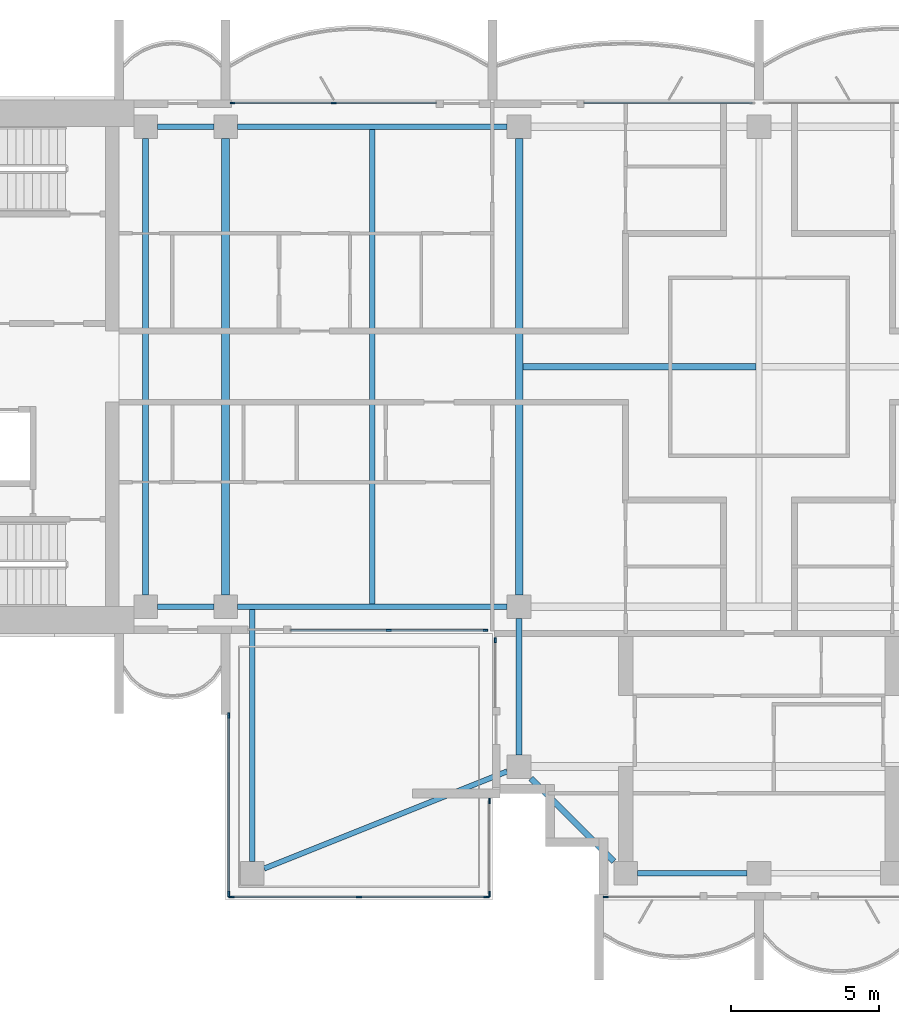
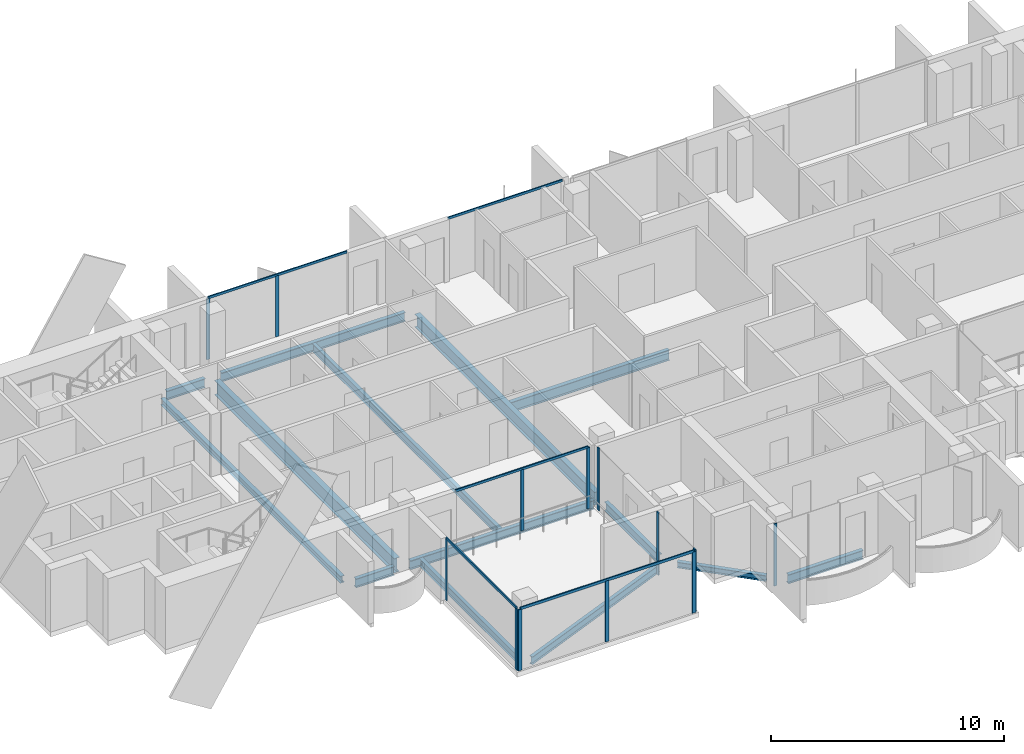
# One storey, part 2 of 16: 18 members, 14 beams, 8 elements without a shape of their own.
"""IFC4 building model written with IfcOpenShell, lengths in metres."""

from ifc_helpers import new_model, si_unit, direction, frame, origin, origin_2d, place, context, subcontext, project, spatial, rectangle, i_section, extrude, material, material_profile, profile_set, type_object, element, aggregate, save


model = new_model("IFC4")

# Units and contexts
model_context = context("Model", 3, precision=1e-05, world=origin(), true_north=direction((0.0, 1.0)))
body_context = subcontext(model_context, "Body", "Model", "MODEL_VIEW")
ifc_project = project(units=[si_unit("LENGTHUNIT", "METRE"), si_unit("AREAUNIT", "SQUARE_METRE"), si_unit("VOLUMEUNIT", "CUBIC_METRE"), si_unit("PLANEANGLEUNIT", "RADIAN"), si_unit("MASSUNIT", "GRAM", prefix="KILO")], contexts=[model_context])

# Site, building, storey
site_placement = place(None, origin())
site = spatial("IfcSite", under=ifc_project, at=site_placement, CompositionType="ELEMENT")
building_placement = place(site_placement, origin())
building = spatial("IfcBuilding", under=site, at=building_placement, Name="Perihelion Cross Residences", CompositionType="ELEMENT")
storey_placement = place(building_placement, frame((0.0, 0.0, 239.5)))
storey = spatial("IfcBuildingStorey", under=building, at=storey_placement, Name="L60", CompositionType="ELEMENT", Elevation=239.5)

# Curtain wall, members
ifc_material_1 = material(Name="Bronze anodised aluminium, tinted glazing", Category="aluminium")
curtain_wall_type_1 = type_object("IfcCurtainWallType", Name="CW1", PredefinedType="NOTDEFINED", material=ifc_material_1)
curtain_wall_1_placement = place(storey_placement, origin())
curtain_wall_1 = element("IfcCurtainWall", 1, at=curtain_wall_1_placement, inside=storey, type_object=curtain_wall_type_1, Name="Curtain wall CW1 L60 west side north bay 1", PredefinedType="NOTDEFINED")
ifc_material_2 = material(Name="Bronze anodised aluminium", Category="aluminium")
ifc_material_profile_1 = material_profile(ifc_material_2, rectangle(XDim=0.06005859375, YDim=0.159912109375, at=origin_2d()), Name="CW1 mullion")
ifc_profile_set_1 = profile_set([ifc_material_profile_1], Name="Bronze anodised aluminium")
member_type_1 = type_object("IfcMemberType", Name="CW1 mullion", PredefinedType="MULLION", material=ifc_profile_set_1)
member_1_placement = place(storey_placement, frame((-14.35009765625, 8.89990234375, 0.0), z_axis=(0.0, 0.0, 1.0), x_axis=(0.0, -1.0, 0.0)))
member_1 = element("IfcMember", 2, at=member_1_placement, type_object=member_type_1, Name="CW1 mullion 2", PredefinedType="MULLION", context=body_context, shape_type="SweptSolid", body=[
    extrude(rectangle(XDim=0.06005859375, YDim=0.159912109375, at=origin_2d()), origin(), (0.0, 0.0, 1.0), 3.18994140625),
])
member_2_placement = place(storey_placement, frame((-17.77001953125, 8.89990234375, 0.0), z_axis=(0.0, 0.0, 1.0), x_axis=(0.0, -1.0, 0.0)))
member_2 = element("IfcMember", 3, at=member_2_placement, type_object=member_type_1, Name="CW1 mullion 3", PredefinedType="MULLION", context=body_context, shape_type="SweptSolid", body=[
    extrude(rectangle(XDim=0.06005859375, YDim=0.159912109375, at=origin_2d()), origin(), (0.0, 0.0, 1.0), 3.18994140625),
])

curtain_wall_2_placement = place(storey_placement, origin())
curtain_wall_2 = element("IfcCurtainWall", 4, at=curtain_wall_2_placement, inside=storey, type_object=curtain_wall_type_1, Name="Curtain wall CW1 L60 west side south bay 2", PredefinedType="NOTDEFINED")
member_3_placement = place(storey_placement, frame((-12.5, -8.89990234375, 0.0), z_axis=(0.0, 0.0, 1.0), x_axis=(0.0, 1.0, 0.0)))
member_3 = element("IfcMember", 5, at=member_3_placement, type_object=member_type_1, Name="CW1 mullion 2", PredefinedType="MULLION", context=body_context, shape_type="SweptSolid", body=[
    extrude(rectangle(XDim=0.06005859375, YDim=0.159912109375, at=origin_2d()), origin(), (0.0, 0.0, 1.0), 3.18994140625),
])
member_4_placement = place(storey_placement, frame((-9.22998046875, -8.89990234375, 0.0), z_axis=(0.0, 0.0, 1.0), x_axis=(0.0, 1.0, 0.0)))
member_4 = element("IfcMember", 6, at=member_4_placement, type_object=member_type_1, Name="CW1 mullion 3", PredefinedType="MULLION", context=body_context, shape_type="SweptSolid", body=[
    extrude(rectangle(XDim=0.06005859375, YDim=0.159912109375, at=origin_2d()), origin(), (0.0, 0.0, 1.0), 3.18994140625),
])

# Curtain wall, member
curtain_wall_3_placement = place(storey_placement, origin())
curtain_wall_3 = element("IfcCurtainWall", 7, at=curtain_wall_3_placement, inside=storey, type_object=curtain_wall_type_1, Name="Curtain wall CW1 L60 south side west bay 1", PredefinedType="NOTDEFINED")
member_5_placement = place(storey_placement, frame((-8.89990234375, -9.22998046875, 0.0), z_axis=(0.0, 0.0, 1.0), x_axis=(1.0, 0.0, 0.0)))
member_5 = element("IfcMember", 8, at=member_5_placement, type_object=member_type_1, Name="CW1 mullion 1", PredefinedType="MULLION", context=body_context, shape_type="SweptSolid", body=[
    extrude(rectangle(XDim=0.06005859375, YDim=0.159912109375, at=origin_2d()), origin(), (0.0, 0.0, 1.0), 3.25),
])
aggregate(curtain_wall_3, [member_5])

curtain_wall_4_placement = place(storey_placement, origin())
curtain_wall_4 = element("IfcCurtainWall", 9, at=curtain_wall_4_placement, inside=storey, type_object=curtain_wall_type_1, Name="Curtain wall CW1 L60 south tip south bay 1", PredefinedType="NOTDEFINED")
member_6_placement = place(storey_placement, frame((-5.169921875, -17.89990234375, 0.0), z_axis=(0.0, 0.0, 1.0), x_axis=(0.0, 1.0, 0.0)))
member_6 = element("IfcMember", 10, at=member_6_placement, type_object=member_type_1, Name="CW1 mullion 1", PredefinedType="MULLION", context=body_context, shape_type="SweptSolid", body=[
    extrude(rectangle(XDim=0.06005859375, YDim=0.159912109375, at=origin_2d()), origin(), (0.0, 0.0, 1.0), 3.25),
])
aggregate(curtain_wall_4, [member_6])

curtain_wall_5_placement = place(storey_placement, origin())
curtain_wall_5 = element("IfcCurtainWall", 11, at=curtain_wall_5_placement, inside=storey, type_object=curtain_wall_type_1, Name="Curtain wall CW1 L60 north side east bay 2", PredefinedType="NOTDEFINED")
ifc_material_3 = material(Name="Bronze anodised aluminium", Category="aluminium")
ifc_material_profile_2 = material_profile(ifc_material_3, rectangle(XDim=0.06005859375, YDim=0.1201171875, at=origin_2d()), Name="CW1 transom")
ifc_profile_set_2 = profile_set([ifc_material_profile_2], Name="Bronze anodised aluminium")
member_type_2 = type_object("IfcMemberType", Name="CW1 transom", PredefinedType="USERDEFINED", material=ifc_profile_set_2)
member_7_placement = place(storey_placement, frame((-0.22998046875, 8.89990234375, 3.219970703125), z_axis=(-1.0, 0.0, 0.0), x_axis=(0.0, -1.0, 0.0)))
member_7 = element("IfcMember", 12, at=member_7_placement, type_object=member_type_2, Name="CW1 head transom", ObjectType="TRANSOM", PredefinedType="USERDEFINED", context=body_context, shape_type="SweptSolid", body=[
    extrude(rectangle(XDim=0.06005859375, YDim=0.1201171875, at=origin_2d()), origin(), (0.0, 0.0, 1.0), 5.669921875),
])
aggregate(curtain_wall_5, [member_7])

# Member
member_8_placement = place(storey_placement, frame((-10.89990234375, 8.89990234375, 3.219970703125), z_axis=(-1.0, 0.0, 0.0), x_axis=(0.0, -1.0, 0.0)))
member_8 = element("IfcMember", 13, at=member_8_placement, type_object=member_type_2, Name="CW1 head transom", ObjectType="TRANSOM", PredefinedType="USERDEFINED", context=body_context, shape_type="SweptSolid", body=[
    extrude(rectangle(XDim=0.06005859375, YDim=0.1201171875, at=origin_2d()), origin(), (0.0, 0.0, 1.0), 6.8701171875),
])

aggregate(curtain_wall_1, [member_1, member_2, member_8])

member_9_placement = place(storey_placement, frame((-15.800048828125, -8.89990234375, 3.219970703125), z_axis=(1.0, 0.0, 0.0), x_axis=(0.0, 1.0, 0.0)))
member_9 = element("IfcMember", 14, at=member_9_placement, type_object=member_type_2, Name="CW1 head transom", ObjectType="TRANSOM", PredefinedType="USERDEFINED", context=body_context, shape_type="SweptSolid", body=[
    extrude(rectangle(XDim=0.06005859375, YDim=0.1201171875, at=origin_2d()), origin(), (0.0, 0.0, 1.0), 6.570068359375),
])

aggregate(curtain_wall_2, [member_3, member_4, member_9])

# Curtain wall, members
ifc_material_4 = material(Name="Bronze anodised aluminium, tinted glazing", Category="aluminium")
curtain_wall_type_2 = type_object("IfcCurtainWallType", Name="CW4", PredefinedType="NOTDEFINED", material=ifc_material_4)
curtain_wall_6_placement = place(storey_placement, origin())
curtain_wall_6 = element("IfcCurtainWall", 15, at=curtain_wall_6_placement, inside=storey, type_object=curtain_wall_type_2, Name="Curtain wall CW4 L60 pocket south-west 1 1", PredefinedType="NOTDEFINED")
ifc_material_5 = material(Name="Bronze anodised aluminium", Category="aluminium")
ifc_material_profile_3 = material_profile(ifc_material_5, rectangle(XDim=0.06005859375, YDim=0.179931640625, at=origin_2d()), Name="CW4 mullion")
ifc_profile_set_3 = profile_set([ifc_material_profile_3], Name="Bronze anodised aluminium")
member_type_3 = type_object("IfcMemberType", Name="CW4 mullion", PredefinedType="MULLION", material=ifc_profile_set_3)
member_10_placement = place(storey_placement, frame((-9.10009765625, -14.658935546875, 0.0), z_axis=(0.0, 0.0, 1.0), x_axis=(1.0, 0.0, 0.0)))
member_10 = element("IfcMember", 16, at=member_10_placement, type_object=member_type_3, Name="CW4 mullion 1", PredefinedType="MULLION", context=body_context, shape_type="SweptSolid", body=[
    extrude(rectangle(XDim=0.06005859375, YDim=0.179931640625, at=origin_2d()), origin(), (0.0, 0.0, 1.0), 3.25),
])
member_11_placement = place(storey_placement, frame((-9.10009765625, -17.800048828125, 0.0), z_axis=(0.0, 0.0, 1.0), x_axis=(1.0, 0.0, 0.0)))
member_11 = element("IfcMember", 17, at=member_11_placement, type_object=member_type_3, Name="CW4 mullion 2", PredefinedType="MULLION", context=body_context, shape_type="SweptSolid", body=[
    extrude(rectangle(XDim=0.06005859375, YDim=0.179931640625, at=origin_2d()), origin(), (0.0, 0.0, 1.0), 3.25),
])
aggregate(curtain_wall_6, [member_10, member_11])

curtain_wall_7_placement = place(storey_placement, origin())
curtain_wall_7 = element("IfcCurtainWall", 18, at=curtain_wall_7_placement, inside=storey, type_object=curtain_wall_type_2, Name="Curtain wall CW4 L60 pocket south-west 1 2", PredefinedType="NOTDEFINED")
member_12_placement = place(storey_placement, frame((-9.199951171875, -17.89990234375, 0.0), z_axis=(0.0, 0.0, 1.0), x_axis=(0.0, -1.0, 0.0)))
member_12 = element("IfcMember", 19, at=member_12_placement, type_object=member_type_3, Name="CW4 mullion 1", PredefinedType="MULLION", context=body_context, shape_type="SweptSolid", body=[
    extrude(rectangle(XDim=0.06005859375, YDim=0.179931640625, at=origin_2d()), origin(), (0.0, 0.0, 1.0), 3.18994140625),
])
member_13_placement = place(storey_placement, frame((-13.5, -17.89990234375, 0.0), z_axis=(0.0, 0.0, 1.0), x_axis=(0.0, -1.0, 0.0)))
member_13 = element("IfcMember", 20, at=member_13_placement, type_object=member_type_3, Name="CW4 mullion 2", PredefinedType="MULLION", context=body_context, shape_type="SweptSolid", body=[
    extrude(rectangle(XDim=0.06005859375, YDim=0.179931640625, at=origin_2d()), origin(), (0.0, 0.0, 1.0), 3.18994140625),
])
member_14_placement = place(storey_placement, frame((-17.800048828125, -17.89990234375, 0.0), z_axis=(0.0, 0.0, 1.0), x_axis=(0.0, -1.0, 0.0)))
member_14 = element("IfcMember", 21, at=member_14_placement, type_object=member_type_3, Name="CW4 mullion 3", PredefinedType="MULLION", context=body_context, shape_type="SweptSolid", body=[
    extrude(rectangle(XDim=0.06005859375, YDim=0.179931640625, at=origin_2d()), origin(), (0.0, 0.0, 1.0), 3.18994140625),
])

curtain_wall_8_placement = place(storey_placement, origin())
curtain_wall_8 = element("IfcCurtainWall", 22, at=curtain_wall_8_placement, inside=storey, type_object=curtain_wall_type_2, Name="Curtain wall CW4 L60 pocket south-west 1 3", PredefinedType="NOTDEFINED")
member_15_placement = place(storey_placement, frame((-17.89990234375, -17.800048828125, 0.0), z_axis=(0.0, 0.0, 1.0), x_axis=(-1.0, 0.0, 0.0)))
member_15 = element("IfcMember", 23, at=member_15_placement, type_object=member_type_3, Name="CW4 mullion 1", PredefinedType="MULLION", context=body_context, shape_type="SweptSolid", body=[
    extrude(rectangle(XDim=0.06005859375, YDim=0.179931640625, at=origin_2d()), origin(), (0.0, 0.0, 1.0), 3.18994140625),
])
member_16_placement = place(storey_placement, frame((-17.89990234375, -11.77001953125, 0.0), z_axis=(0.0, 0.0, 1.0), x_axis=(-1.0, 0.0, 0.0)))
member_16 = element("IfcMember", 24, at=member_16_placement, type_object=member_type_3, Name="CW4 mullion 2", PredefinedType="MULLION", context=body_context, shape_type="SweptSolid", body=[
    extrude(rectangle(XDim=0.06005859375, YDim=0.179931640625, at=origin_2d()), origin(), (0.0, 0.0, 1.0), 3.18994140625),
])

# Member
ifc_material_6 = material(Name="Bronze anodised aluminium", Category="aluminium")
ifc_material_profile_4 = material_profile(ifc_material_6, rectangle(XDim=0.06005859375, YDim=0.139892578125, at=origin_2d()), Name="CW4 transom")
ifc_profile_set_4 = profile_set([ifc_material_profile_4], Name="Bronze anodised aluminium")
member_type_4 = type_object("IfcMemberType", Name="CW4 transom", PredefinedType="USERDEFINED", material=ifc_profile_set_4)
member_17_placement = place(storey_placement, frame((-9.199951171875, -17.89990234375, 3.219970703125), z_axis=(-1.0, 0.0, 0.0), x_axis=(0.0, -1.0, 0.0)))
member_17 = element("IfcMember", 25, at=member_17_placement, type_object=member_type_4, Name="CW4 head transom", ObjectType="TRANSOM", PredefinedType="USERDEFINED", context=body_context, shape_type="SweptSolid", body=[
    extrude(rectangle(XDim=0.06005859375, YDim=0.139892578125, at=origin_2d()), origin(), (0.0, 0.0, 1.0), 8.60009765625),
])

aggregate(curtain_wall_7, [member_12, member_13, member_14, member_17])

member_18_placement = place(storey_placement, frame((-17.89990234375, -17.800048828125, 3.219970703125), z_axis=(0.0, 1.0, 0.0), x_axis=(-1.0, 0.0, 0.0)))
member_18 = element("IfcMember", 26, at=member_18_placement, type_object=member_type_4, Name="CW4 head transom", ObjectType="TRANSOM", PredefinedType="USERDEFINED", context=body_context, shape_type="SweptSolid", body=[
    extrude(rectangle(XDim=0.06005859375, YDim=0.139892578125, at=origin_2d()), origin(), (0.0, 0.0, 1.0), 6.030029296875),
])

aggregate(curtain_wall_8, [member_15, member_16, member_18])

# Beams
ifc_material_7 = material(Name="Steel S355", Category="steel")
ifc_material_profile_5 = material_profile(ifc_material_7, i_section(OverallWidth=0.205078125, OverallDepth=0.35302734375, WebThickness=0.009521484375, FlangeThickness=0.016845703125, at=origin_2d()), Name="W360x79")
ifc_profile_set_5 = profile_set([ifc_material_profile_5], Name="Steel S355")
beam_type_1 = type_object("IfcBeamType", Name="Core edge beam W360x79", PredefinedType="BEAM", material=ifc_profile_set_5)
beam_1_placement = place(storey_placement, frame((-20.699951171875, -7.699951171875, -0.426513671875), z_axis=(0.0, 1.0, 0.0), x_axis=(-1.0, 0.0, 0.0)))
element("IfcBeam", 27, at=beam_1_placement, inside=storey, type_object=beam_type_1, Name="Core edge beam TB7 L60 no. 1", PredefinedType="BEAM", context=body_context, shape_type="SweptSolid", body=[
    extrude(i_section(OverallWidth=0.205078125, OverallDepth=0.35302734375, WebThickness=0.009521484375, FlangeThickness=0.016845703125, at=origin_2d()), origin(), (0.0, 0.0, 1.0), 15.39990234375),
])
ifc_material_8 = material(Name="Steel S355", Category="steel")
ifc_material_profile_6 = material_profile(ifc_material_8, i_section(OverallWidth=0.177978515625, OverallDepth=0.406005859375, WebThickness=0.0078125, FlangeThickness=0.0126953125, at=origin_2d()), Name="W410x60")
ifc_profile_set_6 = profile_set([ifc_material_profile_6], Name="Steel S355")
beam_type_2 = type_object("IfcBeamType", Name="Core edge beam W410x60", PredefinedType="BEAM", material=ifc_profile_set_6)
beam_2_placement = place(storey_placement, frame((-17.10009765625, -8.197021484375, -0.452880859375), z_axis=(0.0, -1.0, 0.0), x_axis=(1.0, 0.0, 0.0)))
element("IfcBeam", 28, at=beam_2_placement, inside=storey, type_object=beam_type_2, Name="Core edge beam TB2 L60 corner no. 1", PredefinedType="BEAM", context=body_context, shape_type="SweptSolid", body=[
    extrude(i_section(OverallWidth=0.177978515625, OverallDepth=0.406005859375, WebThickness=0.0078125, FlangeThickness=0.0126953125, at=origin_2d()), origin(), (0.0, 0.0, 1.0), 8.5029296875),
])
beam_3_placement = place(storey_placement, frame((-8.5, -13.659912109375, -0.452880859375), z_axis=(-0.928474784399, -0.371395442534, 0.0), x_axis=(0.371395442534, -0.928474784399, 0.0)))
element("IfcBeam", 29, at=beam_3_placement, inside=storey, type_object=beam_type_2, Name="Core edge beam TB2 L60 corner no. 2", PredefinedType="BEAM", context=body_context, shape_type="SweptSolid", body=[
    extrude(i_section(OverallWidth=0.177978515625, OverallDepth=0.406005859375, WebThickness=0.0078125, FlangeThickness=0.0126953125, at=origin_2d()), origin(), (0.0, 0.0, 1.0), 8.83154296875),
])
ifc_material_9 = material(Name="Steel S355", Category="steel")
ifc_material_profile_7 = material_profile(ifc_material_9, i_section(OverallWidth=0.194091796875, OverallDepth=0.469970703125, WebThickness=0.0126953125, FlangeThickness=0.0205078125, at=origin_2d()), Name="W460x106")
ifc_profile_set_7 = profile_set([ifc_material_profile_7], Name="Steel S355")
beam_type_3 = type_object("IfcBeamType", Name="Edge beam W460x106", PredefinedType="SPANDREL", material=ifc_profile_set_7)
beam_4_placement = place(storey_placement, frame((-8.5, 8.10009765625, -0.485107421875), z_axis=(-1.0, 0.0, 0.0), x_axis=(0.0, -1.0, 0.0)))
element("IfcBeam", 30, at=beam_4_placement, inside=storey, type_object=beam_type_3, Name="Edge beam SB5 L60 no. 6", PredefinedType="SPANDREL", context=body_context, shape_type="SweptSolid", body=[
    extrude(i_section(OverallWidth=0.194091796875, OverallDepth=0.469970703125, WebThickness=0.0126953125, FlangeThickness=0.0205078125, at=origin_2d()), origin(), (0.0, 0.0, 1.0), 9.10009765625),
])
for number, where, z_axis, x_axis, name in (
    (31, (-18.39990234375, 8.10009765625, -0.485107421875), (-1.0, 0.0, 0.0), (0.0, -1.0, 0.0), "Edge beam SB5 L60 no. 2"),
    (32, (-20.300048828125, -8.10009765625, -0.485107421875), (1.0, 0.0, 0.0), (0.0, 1.0, 0.0), "Edge beam SB5 L60 no. 3"),
):
    element("IfcBeam", number, at=place(storey_placement, frame(where, z_axis=z_axis, x_axis=x_axis)), inside=storey, type_object=beam_type_3, Name=name, PredefinedType="SPANDREL", context=body_context, shape_type="SweptSolid", body=[
        extrude(i_section(OverallWidth=0.194091796875, OverallDepth=0.469970703125, WebThickness=0.0126953125, FlangeThickness=0.0205078125, at=origin_2d()), origin(), (0.0, 0.0, 1.0), 1.900146484375),
    ])
beam_5_placement = place(storey_placement, frame((-17.60009765625, -8.10009765625, -0.485107421875), z_axis=(1.0, 0.0, 0.0), x_axis=(0.0, 1.0, 0.0)))
element("IfcBeam", 33, at=beam_5_placement, inside=storey, type_object=beam_type_3, Name="Edge beam SB5 L60 no. 1", PredefinedType="SPANDREL", context=body_context, shape_type="SweptSolid", body=[
    extrude(i_section(OverallWidth=0.194091796875, OverallDepth=0.469970703125, WebThickness=0.0126953125, FlangeThickness=0.0205078125, at=origin_2d()), origin(), (0.0, 0.0, 1.0), 9.10009765625),
])
beam_6_placement = place(storey_placement, frame((-8.10009765625, -8.5, -0.485107421875), z_axis=(0.0, -1.0, 0.0), x_axis=(1.0, 0.0, 0.0)))
element("IfcBeam", 34, at=beam_6_placement, inside=storey, type_object=beam_type_3, Name="Edge beam SB5 L60 no. 5", PredefinedType="SPANDREL", context=body_context, shape_type="SweptSolid", body=[
    extrude(i_section(OverallWidth=0.194091796875, OverallDepth=0.469970703125, WebThickness=0.0126953125, FlangeThickness=0.0205078125, at=origin_2d()), origin(), (0.0, 0.0, 1.0), 4.60009765625),
])
beam_7_placement = place(storey_placement, frame((-4.10009765625, -17.10009765625, -0.485107421875), z_axis=(1.0, 0.0, 0.0), x_axis=(0.0, 1.0, 0.0)))
element("IfcBeam", 35, at=beam_7_placement, inside=storey, type_object=beam_type_3, Name="Edge beam SB5 L60 no. 4", PredefinedType="SPANDREL", context=body_context, shape_type="SweptSolid", body=[
    extrude(i_section(OverallWidth=0.194091796875, OverallDepth=0.469970703125, WebThickness=0.0126953125, FlangeThickness=0.0205078125, at=origin_2d()), origin(), (0.0, 0.0, 1.0), 3.7001953125),
])
ifc_material_10 = material(Name="Steel S355", Category="steel")
ifc_material_profile_8 = material_profile(ifc_material_10, i_section(OverallWidth=0.26708984375, OverallDepth=0.75390625, WebThickness=0.01318359375, FlangeThickness=0.01708984375, at=origin_2d()), Name="W760x147")
ifc_profile_set_8 = profile_set([ifc_material_profile_8], Name="Steel S355")
beam_type_4 = type_object("IfcBeamType", Name="Floor girder W760x147", PredefinedType="BEAM", material=ifc_profile_set_8)
beam_8_placement = place(storey_placement, frame((-18.0, -7.699951171875, -0.626953125), z_axis=(0.0, 1.0, 0.0), x_axis=(-1.0, 0.0, 0.0)))
element("IfcBeam", 36, at=beam_8_placement, inside=storey, type_object=beam_type_4, Name="Girder G5 L60 no. 1", PredefinedType="BEAM", context=body_context, shape_type="SweptSolid", body=[
    extrude(i_section(OverallWidth=0.26708984375, OverallDepth=0.75390625, WebThickness=0.01318359375, FlangeThickness=0.01708984375, at=origin_2d()), origin(), (0.0, 0.0, 1.0), 15.39990234375),
])
ifc_material_11 = material(Name="Steel S355", Category="steel")
ifc_material_profile_9 = material_profile(ifc_material_11, i_section(OverallWidth=0.177978515625, OverallDepth=0.406005859375, WebThickness=0.0078125, FlangeThickness=0.0126953125, at=origin_2d()), Name="W410x60")
ifc_profile_set_9 = profile_set([ifc_material_profile_9], Name="Steel S355")
beam_type_5 = type_object("IfcBeamType", Name="Floor joist W410x60", PredefinedType="JOIST", material=ifc_profile_set_9)
beam_9_placement = place(storey_placement, frame((-13.050048828125, -8.0029296875, -0.452880859375), z_axis=(0.0, 1.0, 0.0), x_axis=(-1.0, 0.0, 0.0)))
element("IfcBeam", 37, at=beam_9_placement, inside=storey, type_object=beam_type_5, Name="Joist J6 L60 no. 1", PredefinedType="JOIST", context=body_context, shape_type="SweptSolid", body=[
    extrude(i_section(OverallWidth=0.177978515625, OverallDepth=0.406005859375, WebThickness=0.0078125, FlangeThickness=0.0126953125, at=origin_2d()), origin(), (0.0, 0.0, 1.0), 16.005859375),
])
ifc_material_12 = material(Name="Steel S355", Category="steel")
ifc_material_profile_10 = material_profile(ifc_material_12, i_section(OverallWidth=0.208984375, OverallDepth=0.532958984375, WebThickness=0.01025390625, FlangeThickness=0.015625, at=origin_2d()), Name="W530x92")
ifc_profile_set_10 = profile_set([ifc_material_profile_10], Name="Steel S355")
beam_type_6 = type_object("IfcBeamType", Name="Hub cross beam W530x92", PredefinedType="BEAM", material=ifc_profile_set_10)
beam_10_placement = place(storey_placement, frame((-7.972900390625, 0.0, -0.5166015625), z_axis=(1.0, 0.0, 0.0), x_axis=(0.0, 1.0, 0.0)))
element("IfcBeam", 38, at=beam_10_placement, inside=storey, type_object=beam_type_6, Name="Hub cross beam XB5 L60 1 no. 1", PredefinedType="BEAM", context=body_context, shape_type="SweptSolid", body=[
    extrude(i_section(OverallWidth=0.208984375, OverallDepth=0.532958984375, WebThickness=0.01025390625, FlangeThickness=0.015625, at=origin_2d()), origin(), (0.0, 0.0, 1.0), 7.868408203125),
])
ifc_material_13 = material(Name="Steel S355", Category="steel")
ifc_material_profile_11 = material_profile(ifc_material_13, i_section(OverallWidth=0.25390625, OverallDepth=0.677978515625, WebThickness=0.01171875, FlangeThickness=0.016357421875, at=origin_2d()), Name="W690x125")
ifc_profile_set_11 = profile_set([ifc_material_profile_11], Name="Steel S355")
beam_type_7 = type_object("IfcBeamType", Name="Hub ring girder W690x125", PredefinedType="BEAM", material=ifc_profile_set_11)
beam_11_placement = place(storey_placement, frame((-8.10009765625, 7.699951171875, -0.589111328125), z_axis=(0.0, -1.0, 0.0), x_axis=(1.0, 0.0, 0.0)))
element("IfcBeam", 39, at=beam_11_placement, inside=storey, type_object=beam_type_7, Name="Hub ring girder RG5 L60 no. 2", PredefinedType="BEAM", context=body_context, shape_type="SweptSolid", body=[
    extrude(i_section(OverallWidth=0.25390625, OverallDepth=0.677978515625, WebThickness=0.01171875, FlangeThickness=0.016357421875, at=origin_2d()), origin(), (0.0, 0.0, 1.0), 15.39990234375),
])
ifc_material_14 = material(Name="Steel S355", Category="steel")
ifc_material_profile_12 = material_profile(ifc_material_14, i_section(OverallWidth=0.202880859375, OverallDepth=0.302001953125, WebThickness=0.007568359375, FlangeThickness=0.01318359375, at=origin_2d()), Name="W310x60")
ifc_profile_set_12 = profile_set([ifc_material_profile_12], Name="Steel S355")
beam_type_8 = type_object("IfcBeamType", Name="Serration edge beam W310x60", PredefinedType="BEAM", material=ifc_profile_set_12)
beam_12_placement = place(storey_placement, frame((-7.699951171875, -13.89990234375, -0.40087890625), z_axis=(0.707106781187, -0.707106781187, 0.0), x_axis=(0.707106781187, 0.707106781187, 0.0)))
element("IfcBeam", 40, at=beam_12_placement, inside=storey, type_object=beam_type_8, Name="Serration edge beam EB5 L60 no. 1", PredefinedType="BEAM", context=body_context, shape_type="SweptSolid", body=[
    extrude(i_section(OverallWidth=0.202880859375, OverallDepth=0.302001953125, WebThickness=0.007568359375, FlangeThickness=0.01318359375, at=origin_2d()), origin(), (0.0, 0.0, 1.0), 3.9599609375),
])

save(model, "model.ifc")
